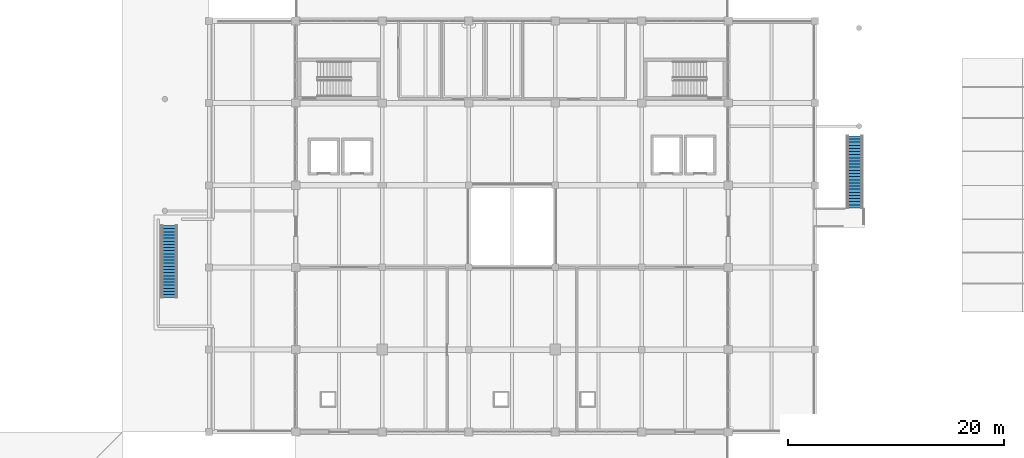
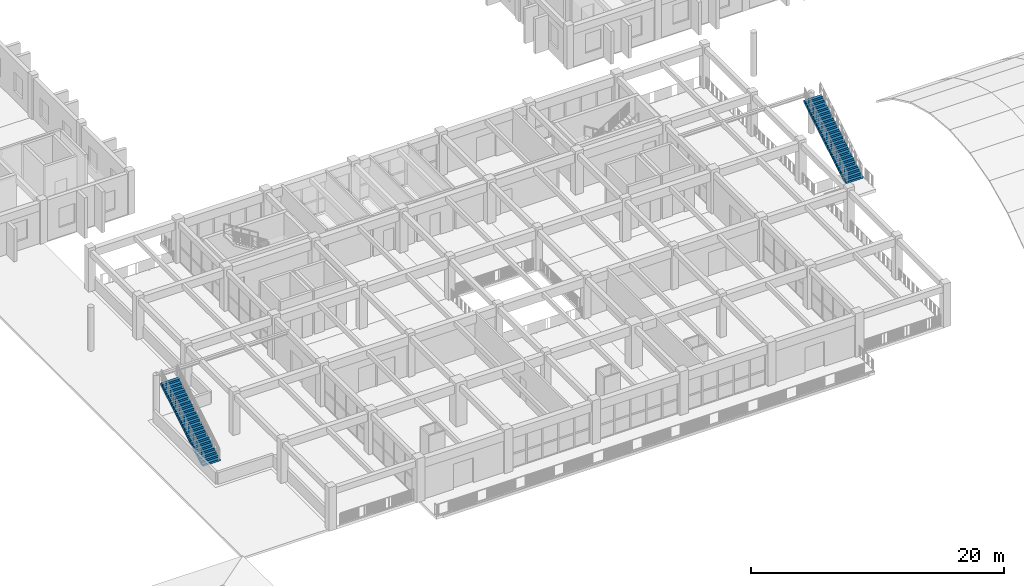
# One storey, part 43 of 63: 2 stair flights, 2 elements without a shape of their own.
"""IFC4 building model written with IfcOpenShell, lengths in metres."""

from ifc_helpers import new_model, si_unit, direction, frame, origin, place, context, subcontext, project, spatial, polyline, outline, extrude, material, type_object, element, aggregate, save


model = new_model("IFC4")

# Units and contexts
model_context = context("Model", 3, precision=1e-05, world=origin(), true_north=direction((0.0, 1.0)))
body_context = subcontext(model_context, "Body", "Model", "MODEL_VIEW")
ifc_project = project(units=[si_unit("LENGTHUNIT", "METRE"), si_unit("AREAUNIT", "SQUARE_METRE"), si_unit("VOLUMEUNIT", "CUBIC_METRE"), si_unit("PLANEANGLEUNIT", "RADIAN"), si_unit("MASSUNIT", "GRAM", prefix="KILO")], contexts=[model_context])

# Site, building, storey
site_placement = place(None, origin())
site = spatial("IfcSite", under=ifc_project, at=site_placement, CompositionType="ELEMENT")
building_placement = place(site_placement, origin())
building = spatial("IfcBuilding", under=site, at=building_placement, Name="Zantavel Square City Hall", CompositionType="ELEMENT")
storey_placement = place(building_placement, frame((0.0, 0.0, 14.699951171875)))
storey = spatial("IfcBuildingStorey", under=building, at=storey_placement, Name="L04", CompositionType="ELEMENT", Elevation=14.699951171875)

# Stair, stair flight
ifc_material = material(Name="Precast concrete C40/50", Category="concrete")
stair_type = type_object("IfcStairType", Name="White Cantera Terrace Stair L04-L05 W1600", PredefinedType="STRAIGHT_RUN_STAIR", material=ifc_material)
stair_1_placement = place(storey_placement, origin())
stair_1 = element("IfcStair", 1, at=stair_1_placement, inside=storey, type_object=stair_type, Name="Outdoor Cantera Tray Terrace Stair ST-TR2", PredefinedType="STRAIGHT_RUN_STAIR")
stair_flight_type = type_object("IfcStairFlightType", Name="White Cantera Terrace Stair Flight L04-L05 W1600", PredefinedType="STRAIGHT", material=ifc_material)
stair_flight_1_placement = place(storey_placement, frame((115.699951171875, 51.10009765625, 0.0), z_axis=(0.0, 0.0, 1.0), x_axis=(0.0, 1.0, 0.0)))
stair_flight_1 = element("IfcStairFlight", 2, at=stair_flight_1_placement, type_object=stair_flight_type, Name="Outdoor Terrace Stair ST-TR2 Flight", NumberOfRisers=24, NumberOfTreads=23, PredefinedType="STRAIGHT", RiserHeight=0.175, TreadLength=0.29, context=body_context, shape_type="SweptSolid", body=[
    extrude(outline(polyline([(0.0, 0.0), (0.0, 0.175048828125), (0.2900390625, 0.175048828125), (0.2900390625, 0.35009765625), (0.580078125, 0.35009765625), (0.580078125, 0.52490234375), (0.8701171875, 0.52490234375), (0.8701171875, 0.699951171875), (1.159912109375, 0.699951171875), (1.159912109375, 0.875), (1.449951171875, 0.875), (1.449951171875, 1.050048828125), (1.739990234375, 1.050048828125), (1.739990234375, 1.22509765625), (2.030029296875, 1.22509765625), (2.030029296875, 1.39990234375), (2.320068359375, 1.39990234375), (2.320068359375, 1.574951171875), (2.610107421875, 1.574951171875), (2.610107421875, 1.75), (2.89990234375, 1.75), (2.89990234375, 1.925048828125), (3.18994140625, 1.925048828125), (3.18994140625, 2.10009765625), (3.47998046875, 2.10009765625), (3.47998046875, 2.27490234375), (3.77001953125, 2.27490234375), (3.77001953125, 2.449951171875), (4.06005859375, 2.449951171875), (4.06005859375, 2.625), (4.35009765625, 2.625), (4.35009765625, 2.800048828125), (4.639892578125, 2.800048828125), (4.639892578125, 2.97509765625), (4.929931640625, 2.97509765625), (4.929931640625, 3.14990234375), (5.219970703125, 3.14990234375), (5.219970703125, 3.324951171875), (5.510009765625, 3.324951171875), (5.510009765625, 3.5), (5.800048828125, 3.5), (5.800048828125, 3.675048828125), (6.090087890625, 3.675048828125), (6.090087890625, 3.85009765625), (6.3798828125, 3.85009765625), (6.3798828125, 4.02490234375), (6.669921875, 4.02490234375), (6.669921875, 4.199951171875), (6.669921875, 3.81494140625), (0.34814453125, 0.0), (0.0, 0.0)])), frame((0.0, 0.800048828125, 0.0), z_axis=(0.0, -1.0, 0.0), x_axis=(1.0, 0.0, 0.0)), (0.0, 0.0, 1.0), 1.60009765625),
])
aggregate(stair_1, [stair_flight_1])

stair_2_placement = place(storey_placement, origin())
stair_2 = element("IfcStair", 3, at=stair_2_placement, inside=storey, type_object=stair_type, Name="Outdoor Cantera Tray Terrace Stair ST-TR5", PredefinedType="STRAIGHT_RUN_STAIR")
stair_flight_2_placement = place(storey_placement, frame((52.300048828125, 42.800048828125, 0.0), z_axis=(0.0, 0.0, 1.0), x_axis=(0.0, 1.0, 0.0)))
stair_flight_2 = element("IfcStairFlight", 4, at=stair_flight_2_placement, type_object=stair_flight_type, Name="Outdoor Terrace Stair ST-TR5 Flight", NumberOfRisers=24, NumberOfTreads=23, PredefinedType="STRAIGHT", RiserHeight=0.175, TreadLength=0.29, context=body_context, shape_type="SweptSolid", body=[
    extrude(outline(polyline([(0.0, 0.0), (0.0, 0.175048828125), (0.2900390625, 0.175048828125), (0.2900390625, 0.35009765625), (0.580078125, 0.35009765625), (0.580078125, 0.52490234375), (0.8701171875, 0.52490234375), (0.8701171875, 0.699951171875), (1.159912109375, 0.699951171875), (1.159912109375, 0.875), (1.449951171875, 0.875), (1.449951171875, 1.050048828125), (1.739990234375, 1.050048828125), (1.739990234375, 1.22509765625), (2.030029296875, 1.22509765625), (2.030029296875, 1.39990234375), (2.320068359375, 1.39990234375), (2.320068359375, 1.574951171875), (2.610107421875, 1.574951171875), (2.610107421875, 1.75), (2.89990234375, 1.75), (2.89990234375, 1.925048828125), (3.18994140625, 1.925048828125), (3.18994140625, 2.10009765625), (3.47998046875, 2.10009765625), (3.47998046875, 2.27490234375), (3.77001953125, 2.27490234375), (3.77001953125, 2.449951171875), (4.06005859375, 2.449951171875), (4.06005859375, 2.625), (4.35009765625, 2.625), (4.35009765625, 2.800048828125), (4.639892578125, 2.800048828125), (4.639892578125, 2.97509765625), (4.929931640625, 2.97509765625), (4.929931640625, 3.14990234375), (5.219970703125, 3.14990234375), (5.219970703125, 3.324951171875), (5.510009765625, 3.324951171875), (5.510009765625, 3.5), (5.800048828125, 3.5), (5.800048828125, 3.675048828125), (6.090087890625, 3.675048828125), (6.090087890625, 3.85009765625), (6.3798828125, 3.85009765625), (6.3798828125, 4.02490234375), (6.669921875, 4.02490234375), (6.669921875, 4.199951171875), (6.669921875, 3.81494140625), (0.34814453125, 0.0), (0.0, 0.0)])), frame((0.0, 0.800048828125, 0.0), z_axis=(0.0, -1.0, 0.0), x_axis=(1.0, 0.0, 0.0)), (0.0, 0.0, 1.0), 1.60009765625),
])
aggregate(stair_2, [stair_flight_2])

save(model, "model.ifc")
